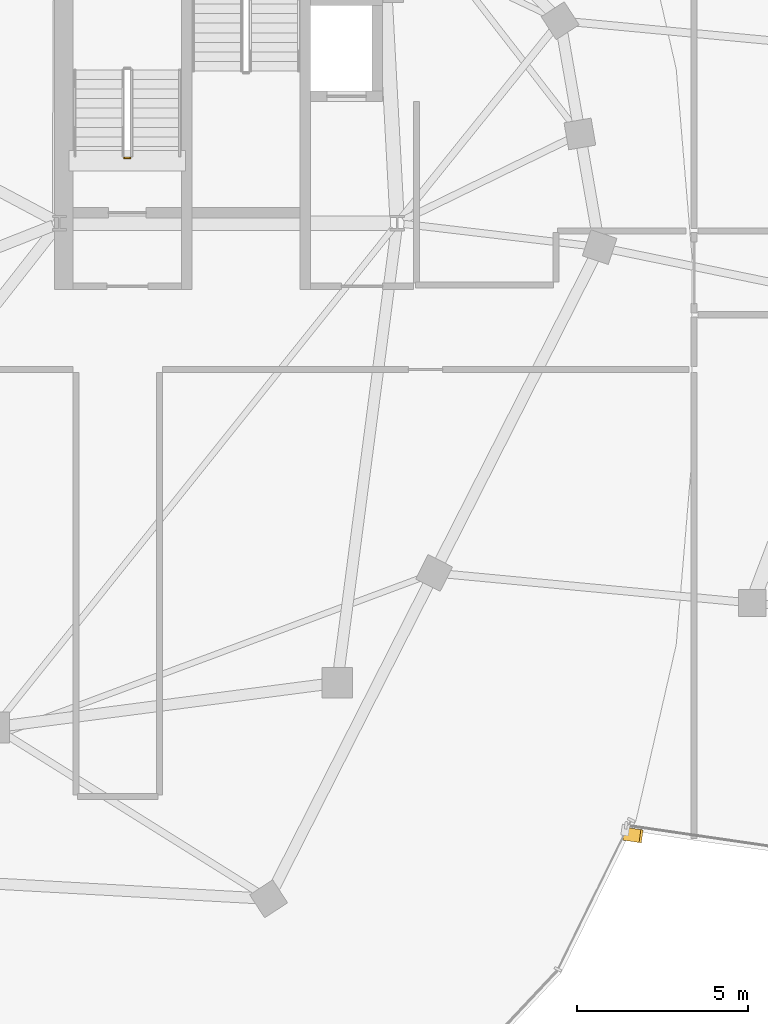
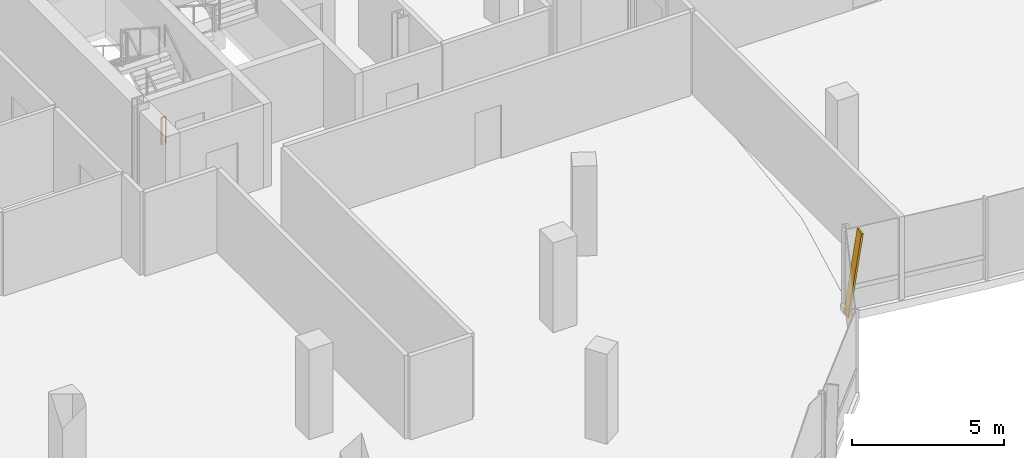
# One storey, part 20 of 24: 1 railing, 1 shading device.
"""IFC4 building model written with IfcOpenShell, lengths in metres."""

import ifcopenshell
import ifcopenshell.guid

model = None  # the IFC model being written
_history = None  # IfcOwnerHistory: only IFC2X3 demands one
_inside = {}  # id of a spatial element -> (the spatial element, [elements in it])
_under = {}  # id of a project, library or spatial element -> (it, [spatial elements below it])
_declared = {}  # id of a project -> (the project, [libraries it declares])
_typed = {}  # id of a type object -> (the type object, [elements of that type])
_made_of = {}  # id of a material, layer set ... -> (it, [elements and type objects made of it])


def new_model(schema):
    """Start an empty IFC model of exactly this schema.

    Asked for "IFC4X3", IfcOpenShell would pick the latest addendum, in which some entities
    have other attributes; the version numbers below select the first issue.
    IFC2X3 requires an IfcOwnerHistory on every rooted entity: one is made here for all.
    """
    global model, _history
    if schema == "IFC4X3":
        model = ifcopenshell.file(schema_version=(4, 3, 0, 0))
    else:
        model = ifcopenshell.file(schema=schema)
    _inside.clear()
    _under.clear()
    _declared.clear()
    _typed.clear()
    _made_of.clear()
    _history = None
    if model.schema == "IFC2X3":
        org = make("IfcOrganization", Name="unknown")
        user = make(
            "IfcPersonAndOrganization",
            ThePerson=make("IfcPerson", FamilyName="unknown"),
            TheOrganization=org,
        )
        app = make(
            "IfcApplication",
            ApplicationDeveloper=org,
            Version="unknown",
            ApplicationFullName="unknown",
            ApplicationIdentifier="unknown",
        )
        _history = make(
            "IfcOwnerHistory",
            OwningUser=user,
            OwningApplication=app,
            ChangeAction="ADDED",
            CreationDate=0,
        )
    return model


def make(cls, **values):
    """One entity of the class cls with the attributes given. An attribute that is None is left unset."""
    return model.create_entity(
        cls, **{name: value for name, value in values.items() if value is not None}
    )


def rooted(cls, **values):
    """An entity with a GlobalId (a new one), such as an element, a storey or a relation."""
    return make(cls, GlobalId=ifcopenshell.guid.new(), OwnerHistory=_history, **values)


def si_unit(unit_type, name, prefix=None):
    """IfcSIUnit, for example si_unit("LENGTHUNIT", "METRE", prefix="MILLI")."""
    return make("IfcSIUnit", UnitType=unit_type, Prefix=prefix, Name=name)


def assignment(units):
    """IfcUnitAssignment: the units of a project."""
    return None if units is None else make("IfcUnitAssignment", Units=units)


def point(xyz):
    """IfcCartesianPoint."""
    return None if xyz is None else make("IfcCartesianPoint", Coordinates=xyz)


def direction(xyz):
    """IfcDirection."""
    return None if xyz is None else make("IfcDirection", DirectionRatios=xyz)


def frame(location, z_axis=None, x_axis=None):
    """IfcAxis2Placement3D, a coordinate frame: its origin and axes. An axis left out is left unset."""
    return make(
        "IfcAxis2Placement3D",
        Location=point(location),
        Axis=direction(z_axis),
        RefDirection=direction(x_axis),
    )


def frame_2d(location, x_axis=None):
    """IfcAxis2Placement2D, a coordinate frame in the plane: its origin and x axis."""
    return make(
        "IfcAxis2Placement2D", Location=point(location), RefDirection=direction(x_axis)
    )


def origin():
    """The frame at (0, 0, 0) with its axes left unset."""
    return frame((0.0, 0.0, 0.0))


def origin_2d():
    """The frame at (0, 0) in the plane with its x axis left unset."""
    return frame_2d((0.0, 0.0))


def place(relative_to, where):
    """IfcLocalPlacement: puts the frame where relative to a parent placement (None: the world)."""
    return make(
        "IfcLocalPlacement", PlacementRelTo=relative_to, RelativePlacement=where
    )


def context(
    kind, dimensions, precision=None, world=None, true_north=None, identifier=None
):
    """IfcGeometricRepresentationContext, for example the 3D "Model" context."""
    return make(
        "IfcGeometricRepresentationContext",
        ContextIdentifier=identifier,
        ContextType=kind,
        CoordinateSpaceDimension=dimensions,
        Precision=precision,
        WorldCoordinateSystem=world,
        TrueNorth=true_north,
    )


def subcontext(parent, identifier, kind, view, scale=None):
    """IfcGeometricRepresentationSubContext, for example "Body" below "Model"."""
    return make(
        "IfcGeometricRepresentationSubContext",
        ContextIdentifier=identifier,
        ContextType=kind,
        ParentContext=parent,
        TargetScale=scale,
        TargetView=view,
    )


def project(units=None, contexts=None):
    """IfcProject with its units and contexts."""
    return rooted(
        "IfcProject",
        Name="project",
        RepresentationContexts=contexts,
        UnitsInContext=assignment(units),
    )


def spatial(cls, under=None, at=None, **own):
    """A site, building, storey or space (cls), placed at a placement, below another one or the project."""
    s = rooted(cls, ObjectPlacement=at, **own)
    if under is not None:
        _under.setdefault(under.id(), (under, []))[1].append(s)
    return s


def profile(cls, at=None, kind="AREA", **sizes):
    """A parametric profile (cls). Its sizes go by their IFC names, for example OverallWidth=200.0."""
    return make(cls, ProfileType=kind, Position=at, **sizes)


def rectangle(**sizes):
    """IfcRectangleProfileDef."""
    return profile("IfcRectangleProfileDef", **sizes)


def extrude(swept, where, along, depth):
    """IfcExtrudedAreaSolid: the profile swept, set in the frame where, extruded along a direction by depth."""
    return make(
        "IfcExtrudedAreaSolid",
        SweptArea=swept,
        Position=where,
        ExtrudedDirection=direction(along),
        Depth=depth,
    )


def shape(context_of_items, identifier, shape_type, items):
    """IfcShapeRepresentation: the items that make up one representation, for example the "Body"."""
    return make(
        "IfcShapeRepresentation",
        ContextOfItems=context_of_items,
        RepresentationIdentifier=identifier,
        RepresentationType=shape_type,
        Items=items,
    )


def material(Name=None, Category=None):
    """IfcMaterial."""
    return make("IfcMaterial", Name=Name, Category=Category)


def material_profile(
    of_material, cross_section, Name=None, Category=None, Priority=None
):
    """IfcMaterialProfile: a cross section and its material."""
    return make(
        "IfcMaterialProfile",
        Name=Name,
        Material=of_material,
        Profile=cross_section,
        Priority=Priority,
        Category=Category,
    )


def profile_set(profiles, Name=None, composite=None):
    """IfcMaterialProfileSet."""
    return make(
        "IfcMaterialProfileSet",
        Name=Name,
        MaterialProfiles=profiles,
        CompositeProfile=composite,
    )


def made_of(thing, what):
    """Note that an element or type object is made of a material, layer set ...; save() writes the relation."""
    if what is not None:
        _made_of.setdefault(what.id(), (what, []))[1].append(thing)
    return thing


def type_object(cls, material=None, **own):
    """A type object (cls), such as IfcWallType, which elements share."""
    return made_of(rooted(cls, **own), material)


def element(
    cls,
    number,
    at=None,
    inside=None,
    cuts=None,
    type_object=None,
    material=None,
    context=None,
    identifier="Body",
    shape_type=None,
    held_by="IfcProductDefinitionShape",
    body=None,
    shapes=None,
    **own,
):
    """One element of the class cls, such as IfcWall. Its Tag is "e" and its number.

    at: its placement. inside: the storey or other place that contains it. cuts: it is an
    opening in that element (IfcRelVoidsElement). A single representation is given by context,
    identifier, shape_type and body (its items); several are given by shapes. held_by: the class
    of the entity that holds the representations. save() writes the other relations.
    """
    e = rooted(cls, Tag="e%d" % number, ObjectPlacement=at, **own)
    if body is not None:
        shapes = [shape(context, identifier, shape_type, body)]
    if shapes is not None:
        e.Representation = make(held_by, Representations=shapes)
    if inside is not None:
        _inside.setdefault(inside.id(), (inside, []))[1].append(e)
    if cuts is not None:
        rooted(
            "IfcRelVoidsElement", RelatingBuildingElement=cuts, RelatedOpeningElement=e
        )
    if type_object is not None:
        _typed.setdefault(type_object.id(), (type_object, []))[1].append(e)
    return made_of(e, material)


def aggregate(whole, parts):
    """IfcRelAggregates: a whole, such as a stair, and the parts it consists of."""
    return rooted("IfcRelAggregates", RelatingObject=whole, RelatedObjects=parts)


def save(model, path):
    """Write the relations noted so far, then the file.

    IfcRelAggregates (storeys below a building ...), IfcRelContainedInSpatialStructure (elements
    in a storey), IfcRelDefinesByType, IfcRelAssociatesMaterial and IfcRelDeclares: one each for
    every whole, place, type object, material and project.
    """
    for whole, parts in _under.values():
        aggregate(whole, parts)
    for where, things in _inside.values():
        rooted(
            "IfcRelContainedInSpatialStructure",
            RelatedElements=things,
            RelatingStructure=where,
        )
    for kind, things in _typed.values():
        rooted("IfcRelDefinesByType", RelatedObjects=things, RelatingType=kind)
    for what, things in _made_of.values():
        rooted("IfcRelAssociatesMaterial", RelatedObjects=things, RelatingMaterial=what)
    for by, libraries in _declared.values():
        rooted("IfcRelDeclares", RelatingContext=by, RelatedDefinitions=libraries)
    model.write(path)


model = new_model("IFC4")

# Units and contexts
model_context = context("Model", 3, precision=1e-05, world=origin(), true_north=direction((0.0, 1.0)))
body_context = subcontext(model_context, "Body", "Model", "MODEL_VIEW")
ifc_project = project(units=[si_unit("LENGTHUNIT", "METRE"), si_unit("AREAUNIT", "SQUARE_METRE"), si_unit("VOLUMEUNIT", "CUBIC_METRE"), si_unit("PLANEANGLEUNIT", "RADIAN"), si_unit("MASSUNIT", "GRAM", prefix="KILO"), si_unit("THERMODYNAMICTEMPERATUREUNIT", "KELVIN"), si_unit("POWERUNIT", "WATT")], contexts=[model_context])

# Site, building, storey
site_placement = place(None, origin())
site = spatial("IfcSite", under=ifc_project, at=site_placement, CompositionType="ELEMENT")
building_placement = place(site_placement, origin())
building = spatial("IfcBuilding", under=site, at=building_placement, Name="Cundina Bronze Exchange", CompositionType="ELEMENT")
storey_placement = place(building_placement, frame((0.0, 0.0, 268.39990234375)))
storey = spatial("IfcBuildingStorey", under=building, at=storey_placement, Name="L71", CompositionType="ELEMENT", Elevation=268.39990234375)

# Railing
ifc_material_1 = material(Name="Steel ASTM A36 Painted", Category="steel")
railing_type = type_object("IfcRailingType", Name="RLG-STG-1100", PredefinedType="GUARDRAIL", material=ifc_material_1)
railing_placement = place(storey_placement, frame((-29.239990234375, 5.800048828125, 0.0)))
element("IfcRailing", 1, at=railing_placement, inside=storey, type_object=railing_type, Name="L71 ST-W1 stair guard 4", PredefinedType="GUARDRAIL", context=body_context, shape_type="SweptSolid", body=[
    extrude(rectangle(XDim=0.048095703125, YDim=0.048095703125, at=origin_2d()), frame((0.0, 0.0, 1.076171875), z_axis=(-1.0, 0.0, 0.0), x_axis=(0.0, -1.0, 0.0)), (0.0, 0.0, 1.0), 0.159912109375),
    extrude(rectangle(XDim=0.0419921875, YDim=0.0419921875, at=origin_2d()), origin(), (0.0, 0.0, 1.0), 1.052001953125),
    extrude(rectangle(XDim=0.0419921875, YDim=0.0419921875, at=origin_2d()), frame((-0.159912109375, 0.0, 0.0)), (0.0, 0.0, 1.0), 1.052001953125),
])

# Shading device
ifc_material_2 = material(Name="Anodised Bronze Aluminium 6063-T6", Category="aluminium")
ifc_material_profile = material_profile(ifc_material_2, rectangle(XDim=0.070068359375, YDim=0.3798828125, at=origin_2d()), Name="FIN70X380", Category="aluminium")
ifc_profile_set = profile_set([ifc_material_profile], Name="Anodised Bronze Aluminium 6063-T6")
shading_device_type = type_object("IfcShadingDeviceType", Name="SHD-FIN-BRZ380", PredefinedType="USERDEFINED", material=ifc_profile_set)
shading_device_placement = place(storey_placement, frame((-14.8154296875, -13.90625, 0.02001953125), z_axis=(0.145051508968, -0.021168873868, 0.989197623595), x_axis=(-0.978828704224, 0.142850643371, 0.1465880673)))
element("IfcShadingDevice", 2, at=shading_device_placement, inside=storey, type_object=shading_device_type, Name="L71 Diagonal Bronze Solar Fin 1", ObjectType="FIN", PredefinedType="USERDEFINED", context=body_context, shape_type="SweptSolid", body=[
    extrude(rectangle(XDim=0.070068359375, YDim=0.3798828125, at=origin_2d()), origin(), (0.0, 0.0, 1.0), 3.275390625),
])

save(model, "model.ifc")
